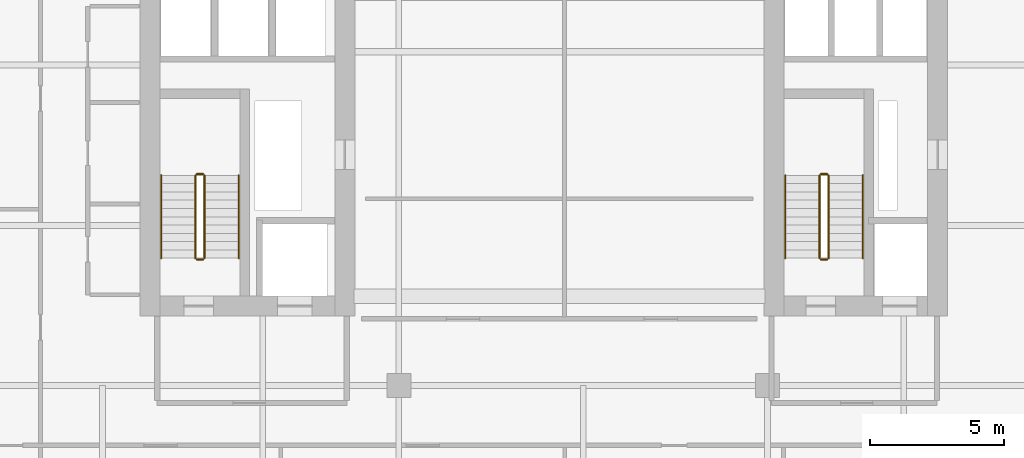
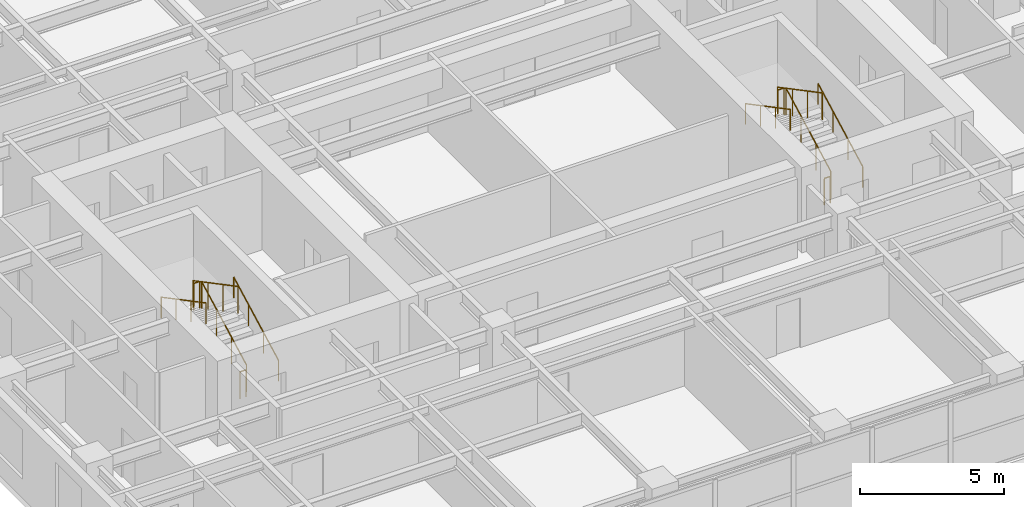
# One storey, part 18 of 18: 12 railings.
"""IFC4 building model written with IfcOpenShell, lengths in metres."""

from ifc_helpers import new_model, si_unit, direction, frame, origin, origin_2d, place, context, subcontext, project, spatial, circle, extrude, material, type_object, element, save


model = new_model("IFC4")

# Units and contexts
model_context = context("Model", 3, precision=1e-05, world=origin(), true_north=direction((0.0, 1.0)))
body_context = subcontext(model_context, "Body", "Model", "MODEL_VIEW")
ifc_project = project(units=[si_unit("LENGTHUNIT", "METRE"), si_unit("AREAUNIT", "SQUARE_METRE"), si_unit("VOLUMEUNIT", "CUBIC_METRE"), si_unit("PLANEANGLEUNIT", "RADIAN"), si_unit("MASSUNIT", "GRAM", prefix="KILO")], contexts=[model_context])

# Site, building, storey
site_placement = place(None, origin())
site = spatial("IfcSite", under=ifc_project, at=site_placement, CompositionType="ELEMENT")
building_placement = place(site_placement, origin())
building = spatial("IfcBuilding", under=site, at=building_placement, Name="Khoralis Quay Care Tower", CompositionType="ELEMENT")
storey_placement = place(building_placement, frame((0.0, 0.0, 130.5)))
storey = spatial("IfcBuildingStorey", under=building, at=storey_placement, Name="L34", CompositionType="ELEMENT", Elevation=130.5)

# Railings
ifc_material = material(Name="Brushed stainless steel", Category="steel")
railing_type_1 = type_object("IfcRailingType", Name="RL-GUARD-1150", PredefinedType="GUARDRAIL", material=ifc_material)
railing_1_placement = place(storey_placement, frame((9.820068359375, 16.77001953125, 0.16357421875)))
element("IfcRailing", 1, at=railing_1_placement, inside=storey, type_object=railing_type_1, Name="L34 ST-T1 stair guard 1", PredefinedType="GUARDRAIL", context=body_context, shape_type="SweptSolid", body=[
    extrude(circle(Radius=0.02392578125, at=origin_2d()), frame((0.0, 0.0, 1.1259765625), z_axis=(0.0, 0.884348015382, 0.466828220752), x_axis=(-1.0, 0.0, 0.0)), (0.0, 0.0, 1.0), 3.505615234375),
    extrude(circle(Radius=0.02099609375, at=origin_2d()), origin(), (0.0, 0.0, 1.0), 1.101806640625),
    extrude(circle(Radius=0.02099609375, at=origin_2d()), frame((0.0, 1.033447265625, 0.54541015625)), (0.0, 0.0, 1.0), 1.101806640625),
    extrude(circle(Radius=0.02099609375, at=origin_2d()), frame((0.0, 2.066650390625, 1.091064453125)), (0.0, 0.0, 1.0), 1.101806640625),
    extrude(circle(Radius=0.02099609375, at=origin_2d()), frame((0.0, 3.10009765625, 1.636474609375)), (0.0, 0.0, 1.0), 1.101806640625),
])
railing_2_placement = place(storey_placement, frame((9.77001953125, 19.919921875, 1.800048828125)))
element("IfcRailing", 2, at=railing_2_placement, inside=storey, type_object=railing_type_1, Name="L34 ST-T1 stair guard 2", PredefinedType="GUARDRAIL", context=body_context, shape_type="SweptSolid", body=[
    extrude(circle(Radius=0.02392578125, at=origin_2d()), frame((0.0, 0.0, 1.1259765625), z_axis=(-1.0, 0.0, 0.0), x_axis=(0.0, -1.0, 0.0)), (0.0, 0.0, 1.0), 0.239990234375),
    extrude(circle(Radius=0.02099609375, at=origin_2d()), origin(), (0.0, 0.0, 1.0), 1.101806640625),
    extrude(circle(Radius=0.02099609375, at=origin_2d()), frame((-0.239990234375, 0.0, 0.0)), (0.0, 0.0, 1.0), 1.101806640625),
])
railing_3_placement = place(storey_placement, frame((9.47998046875, 19.8701171875, 1.963623046875)))
element("IfcRailing", 3, at=railing_3_placement, inside=storey, type_object=railing_type_1, Name="L34 ST-T1 stair guard 3", PredefinedType="GUARDRAIL", context=body_context, shape_type="SweptSolid", body=[
    extrude(circle(Radius=0.02392578125, at=origin_2d()), frame((0.0, 0.0, 1.1259765625), z_axis=(0.0, -0.884348015382, 0.466828220752), x_axis=(1.0, 0.0, 0.0)), (0.0, 0.0, 1.0), 3.505615234375),
    extrude(circle(Radius=0.02099609375, at=origin_2d()), origin(), (0.0, 0.0, 1.0), 1.101806640625),
    extrude(circle(Radius=0.02099609375, at=origin_2d()), frame((0.0, -1.033447265625, 0.54541015625)), (0.0, 0.0, 1.0), 1.101806640625),
    extrude(circle(Radius=0.02099609375, at=origin_2d()), frame((0.0, -2.066650390625, 1.091064453125)), (0.0, 0.0, 1.0), 1.101806640625),
    extrude(circle(Radius=0.02099609375, at=origin_2d()), frame((0.0, -3.10009765625, 1.636474609375)), (0.0, 0.0, 1.0), 1.101806640625),
])
railing_4_placement = place(storey_placement, frame((9.77001953125, 16.719970703125, 0.0)))
element("IfcRailing", 4, at=railing_4_placement, inside=storey, type_object=railing_type_1, Name="L34 ST-T1 stair guard 4", PredefinedType="GUARDRAIL", context=body_context, shape_type="SweptSolid", body=[
    extrude(circle(Radius=0.02392578125, at=origin_2d()), frame((0.0, 0.0, 1.1259765625), z_axis=(-1.0, 0.0, 0.0), x_axis=(0.0, -1.0, 0.0)), (0.0, 0.0, 1.0), 0.239990234375),
    extrude(circle(Radius=0.02099609375, at=origin_2d()), origin(), (0.0, 0.0, 1.0), 1.101806640625),
    extrude(circle(Radius=0.02099609375, at=origin_2d()), frame((-0.239990234375, 0.0, 0.0)), (0.0, 0.0, 1.0), 1.101806640625),
])
railing_5_placement = place(storey_placement, frame((33.18994140625, 16.77001953125, 0.16357421875)))
element("IfcRailing", 5, at=railing_5_placement, inside=storey, type_object=railing_type_1, Name="L34 ST-T2 stair guard 1", PredefinedType="GUARDRAIL", context=body_context, shape_type="SweptSolid", body=[
    extrude(circle(Radius=0.02392578125, at=origin_2d()), frame((0.0, 0.0, 1.1259765625), z_axis=(0.0, 0.884348015382, 0.466828220752), x_axis=(-1.0, 0.0, 0.0)), (0.0, 0.0, 1.0), 3.505615234375),
    extrude(circle(Radius=0.02099609375, at=origin_2d()), origin(), (0.0, 0.0, 1.0), 1.101806640625),
    extrude(circle(Radius=0.02099609375, at=origin_2d()), frame((0.0, 1.033447265625, 0.54541015625)), (0.0, 0.0, 1.0), 1.101806640625),
    extrude(circle(Radius=0.02099609375, at=origin_2d()), frame((0.0, 2.066650390625, 1.091064453125)), (0.0, 0.0, 1.0), 1.101806640625),
    extrude(circle(Radius=0.02099609375, at=origin_2d()), frame((0.0, 3.10009765625, 1.636474609375)), (0.0, 0.0, 1.0), 1.101806640625),
])
railing_6_placement = place(storey_placement, frame((33.139892578125, 19.919921875, 1.800048828125)))
element("IfcRailing", 6, at=railing_6_placement, inside=storey, type_object=railing_type_1, Name="L34 ST-T2 stair guard 2", PredefinedType="GUARDRAIL", context=body_context, shape_type="SweptSolid", body=[
    extrude(circle(Radius=0.02392578125, at=origin_2d()), frame((0.0, 0.0, 1.1259765625), z_axis=(-1.0, 0.0, 0.0), x_axis=(0.0, -1.0, 0.0)), (0.0, 0.0, 1.0), 0.239990234375),
    extrude(circle(Radius=0.02099609375, at=origin_2d()), origin(), (0.0, 0.0, 1.0), 1.101806640625),
    extrude(circle(Radius=0.02099609375, at=origin_2d()), frame((-0.239990234375, 0.0, 0.0)), (0.0, 0.0, 1.0), 1.101806640625),
])
railing_7_placement = place(storey_placement, frame((32.85009765625, 19.8701171875, 1.963623046875)))
element("IfcRailing", 7, at=railing_7_placement, inside=storey, type_object=railing_type_1, Name="L34 ST-T2 stair guard 3", PredefinedType="GUARDRAIL", context=body_context, shape_type="SweptSolid", body=[
    extrude(circle(Radius=0.02392578125, at=origin_2d()), frame((0.0, 0.0, 1.1259765625), z_axis=(0.0, -0.884348015382, 0.466828220752), x_axis=(1.0, 0.0, 0.0)), (0.0, 0.0, 1.0), 3.505615234375),
    extrude(circle(Radius=0.02099609375, at=origin_2d()), origin(), (0.0, 0.0, 1.0), 1.101806640625),
    extrude(circle(Radius=0.02099609375, at=origin_2d()), frame((0.0, -1.033447265625, 0.54541015625)), (0.0, 0.0, 1.0), 1.101806640625),
    extrude(circle(Radius=0.02099609375, at=origin_2d()), frame((0.0, -2.066650390625, 1.091064453125)), (0.0, 0.0, 1.0), 1.101806640625),
    extrude(circle(Radius=0.02099609375, at=origin_2d()), frame((0.0, -3.10009765625, 1.636474609375)), (0.0, 0.0, 1.0), 1.101806640625),
])
railing_8_placement = place(storey_placement, frame((33.139892578125, 16.719970703125, 0.0)))
element("IfcRailing", 8, at=railing_8_placement, inside=storey, type_object=railing_type_1, Name="L34 ST-T2 stair guard 4", PredefinedType="GUARDRAIL", context=body_context, shape_type="SweptSolid", body=[
    extrude(circle(Radius=0.02392578125, at=origin_2d()), frame((0.0, 0.0, 1.1259765625), z_axis=(-1.0, 0.0, 0.0), x_axis=(0.0, -1.0, 0.0)), (0.0, 0.0, 1.0), 0.239990234375),
    extrude(circle(Radius=0.02099609375, at=origin_2d()), origin(), (0.0, 0.0, 1.0), 1.101806640625),
    extrude(circle(Radius=0.02099609375, at=origin_2d()), frame((-0.239990234375, 0.0, 0.0)), (0.0, 0.0, 1.0), 1.101806640625),
])
railing_type_2 = type_object("IfcRailingType", Name="RL-HAND-900", PredefinedType="HANDRAIL", material=ifc_material)
railing_9_placement = place(storey_placement, frame((11.10009765625, 16.77001953125, 0.16357421875)))
element("IfcRailing", 9, at=railing_9_placement, inside=storey, type_object=railing_type_2, Name="L34 ST-T1 stair handrail 1", PredefinedType="HANDRAIL", context=body_context, shape_type="SweptSolid", body=[
    extrude(circle(Radius=0.02392578125, at=origin_2d()), frame((0.0, 0.0, 0.8759765625), z_axis=(0.0, 0.884348015382, 0.466828220752), x_axis=(-1.0, 0.0, 0.0)), (0.0, 0.0, 1.0), 3.505615234375),
    extrude(circle(Radius=0.02099609375, at=origin_2d()), origin(), (0.0, 0.0, 1.0), 0.851806640625),
    extrude(circle(Radius=0.02099609375, at=origin_2d()), frame((0.0, 1.033447265625, 0.54541015625)), (0.0, 0.0, 1.0), 0.851806640625),
    extrude(circle(Radius=0.02099609375, at=origin_2d()), frame((0.0, 2.066650390625, 1.091064453125)), (0.0, 0.0, 1.0), 0.851806640625),
    extrude(circle(Radius=0.02099609375, at=origin_2d()), frame((0.0, 3.10009765625, 1.636474609375)), (0.0, 0.0, 1.0), 0.851806640625),
])
railing_10_placement = place(storey_placement, frame((8.199951171875, 19.8701171875, 1.963623046875)))
element("IfcRailing", 10, at=railing_10_placement, inside=storey, type_object=railing_type_2, Name="L34 ST-T1 stair handrail 2", PredefinedType="HANDRAIL", context=body_context, shape_type="SweptSolid", body=[
    extrude(circle(Radius=0.02392578125, at=origin_2d()), frame((0.0, 0.0, 0.8759765625), z_axis=(0.0, -0.884348015382, 0.466828220752), x_axis=(1.0, 0.0, 0.0)), (0.0, 0.0, 1.0), 3.505615234375),
    extrude(circle(Radius=0.02099609375, at=origin_2d()), origin(), (0.0, 0.0, 1.0), 0.851806640625),
    extrude(circle(Radius=0.02099609375, at=origin_2d()), frame((0.0, -1.033447265625, 0.54541015625)), (0.0, 0.0, 1.0), 0.851806640625),
    extrude(circle(Radius=0.02099609375, at=origin_2d()), frame((0.0, -2.066650390625, 1.091064453125)), (0.0, 0.0, 1.0), 0.851806640625),
    extrude(circle(Radius=0.02099609375, at=origin_2d()), frame((0.0, -3.10009765625, 1.636474609375)), (0.0, 0.0, 1.0), 0.851806640625),
])
railing_11_placement = place(storey_placement, frame((34.469970703125, 16.77001953125, 0.16357421875)))
element("IfcRailing", 11, at=railing_11_placement, inside=storey, type_object=railing_type_2, Name="L34 ST-T2 stair handrail 1", PredefinedType="HANDRAIL", context=body_context, shape_type="SweptSolid", body=[
    extrude(circle(Radius=0.02392578125, at=origin_2d()), frame((0.0, 0.0, 0.8759765625), z_axis=(0.0, 0.884348015382, 0.466828220752), x_axis=(-1.0, 0.0, 0.0)), (0.0, 0.0, 1.0), 3.505615234375),
    extrude(circle(Radius=0.02099609375, at=origin_2d()), origin(), (0.0, 0.0, 1.0), 0.851806640625),
    extrude(circle(Radius=0.02099609375, at=origin_2d()), frame((0.0, 1.033447265625, 0.54541015625)), (0.0, 0.0, 1.0), 0.851806640625),
    extrude(circle(Radius=0.02099609375, at=origin_2d()), frame((0.0, 2.066650390625, 1.091064453125)), (0.0, 0.0, 1.0), 0.851806640625),
    extrude(circle(Radius=0.02099609375, at=origin_2d()), frame((0.0, 3.10009765625, 1.636474609375)), (0.0, 0.0, 1.0), 0.851806640625),
])
railing_12_placement = place(storey_placement, frame((31.570068359375, 19.8701171875, 1.963623046875)))
element("IfcRailing", 12, at=railing_12_placement, inside=storey, type_object=railing_type_2, Name="L34 ST-T2 stair handrail 2", PredefinedType="HANDRAIL", context=body_context, shape_type="SweptSolid", body=[
    extrude(circle(Radius=0.02392578125, at=origin_2d()), frame((0.0, 0.0, 0.8759765625), z_axis=(0.0, -0.884348015382, 0.466828220752), x_axis=(1.0, 0.0, 0.0)), (0.0, 0.0, 1.0), 3.505615234375),
    extrude(circle(Radius=0.02099609375, at=origin_2d()), origin(), (0.0, 0.0, 1.0), 0.851806640625),
    extrude(circle(Radius=0.02099609375, at=origin_2d()), frame((0.0, -1.033447265625, 0.54541015625)), (0.0, 0.0, 1.0), 0.851806640625),
    extrude(circle(Radius=0.02099609375, at=origin_2d()), frame((0.0, -2.066650390625, 1.091064453125)), (0.0, 0.0, 1.0), 0.851806640625),
    extrude(circle(Radius=0.02099609375, at=origin_2d()), frame((0.0, -3.10009765625, 1.636474609375)), (0.0, 0.0, 1.0), 0.851806640625),
])

save(model, "model.ifc")
